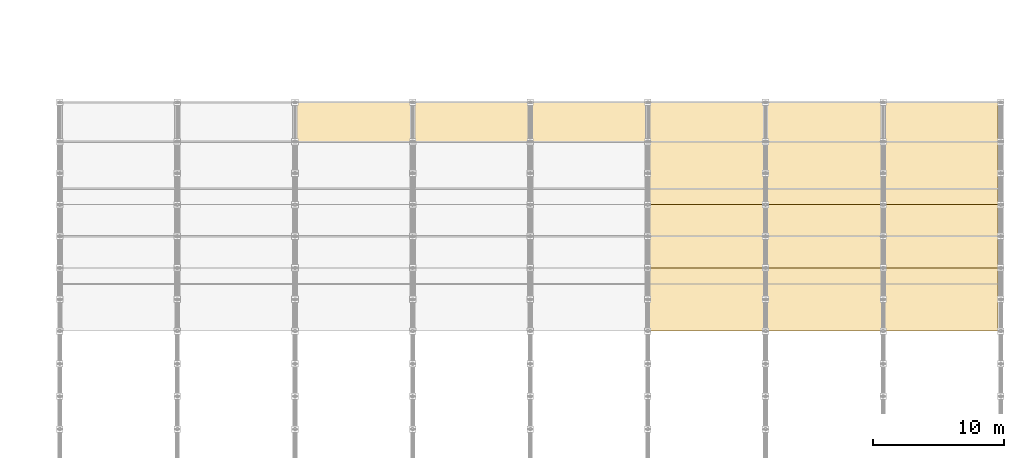
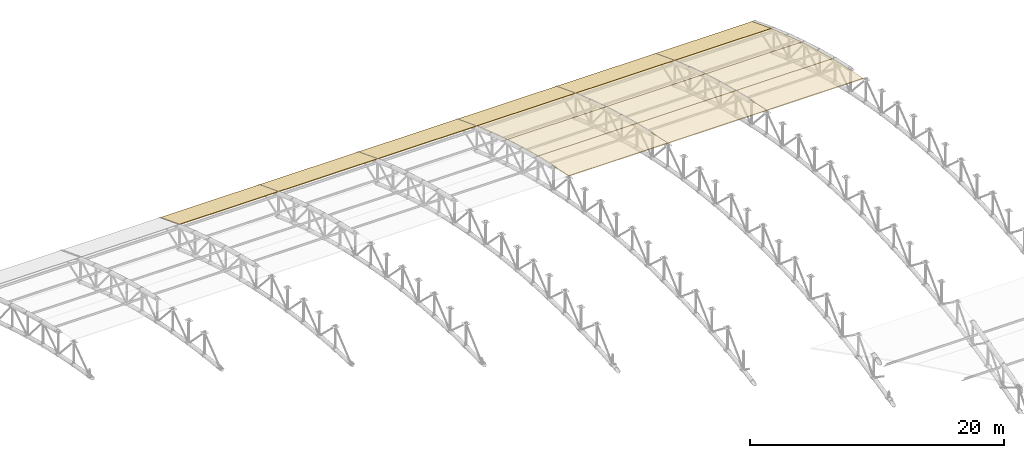
# One storey, part 194 of 195: 15 coverings.
"""IFC4 building model written with IfcOpenShell, lengths in metres."""

from ifc_helpers import new_model, si_unit, direction, frame, origin, place, context, subcontext, project, spatial, polyline, outline, extrude, material, layer, layer_set, type_object, element, save


model = new_model("IFC4")

# Units and contexts
model_context = context("Model", 3, precision=1e-05, world=origin(), true_north=direction((0.0, 1.0)))
body_context = subcontext(model_context, "Body", "Model", "MODEL_VIEW")
ifc_project = project(units=[si_unit("LENGTHUNIT", "METRE"), si_unit("AREAUNIT", "SQUARE_METRE"), si_unit("VOLUMEUNIT", "CUBIC_METRE"), si_unit("PLANEANGLEUNIT", "RADIAN"), si_unit("MASSUNIT", "GRAM", prefix="KILO")], contexts=[model_context])

# Site, building, storey
site_placement = place(None, origin())
site = spatial("IfcSite", under=ifc_project, at=site_placement, CompositionType="ELEMENT")
building_placement = place(site_placement, origin())
building = spatial("IfcBuilding", under=site, at=building_placement, Name="Marlcrest Central Station", CompositionType="ELEMENT")
storey_placement = place(building_placement, frame((0.0, 0.0, 9.800048828125)))
storey = spatial("IfcBuildingStorey", under=building, at=storey_placement, Name="L02", CompositionType="ELEMENT", Elevation=9.800048828125)

# Coverings
ifc_material = material(Name="Standing-seam marine-coated aluminium roofing", Category="aluminium")
ifc_layer = layer(ifc_material, 0.06494140625, Name="CV-RF2")
ifc_layer_set = layer_set([ifc_layer], Name="Standing-seam marine-coated aluminium roofing")
covering_type = type_object("IfcCoveringType", Name="CV-RF2", PredefinedType="ROOFING", material=ifc_layer_set)
for number, where, z_axis, x_axis, name in (
    (1, (162.0, 95.5, 1.800048828125), (0.0, 0.359101225901, 0.933298617569), (1.0, 0.0, 0.0), "cov-shed-0158"),
    (2, (171.0, 95.5, 1.800048828125), (0.0, 0.359101225901, 0.933298617569), (1.0, 0.0, 0.0), "cov-shed-0172"),
    (3, (180.0, 95.5, 1.800048828125), (0.0, 0.359101225901, 0.933298617569), (1.0, 0.0, 0.0), "cov-shed-0186"),
):
    element("IfcCovering", number, at=place(storey_placement, frame(where, z_axis=z_axis, x_axis=x_axis)), inside=storey, type_object=covering_type, Name=name, PredefinedType="ROOFING", context=body_context, shape_type="SweptSolid", body=[
        extrude(outline(polyline([(0.0, 0.0), (9.0, 0.0), (9.0, 3.2144052755735024), (0.0, 3.2144052755735024), (0.0, 0.0)])), origin(), (0.0, 0.0, -1.0), 0.06494140625),
    ])
covering_1_placement = place(storey_placement, frame((189.0, 81.0, 5.8037109375), z_axis=(0.0, 0.211209052667, 0.977440911806), x_axis=(1.0, 0.0, 0.0)))
element("IfcCovering", 4, at=covering_1_placement, inside=storey, type_object=covering_type, Name="cov-shed-0197", PredefinedType="ROOFING", context=body_context, shape_type="SweptSolid", body=[
    extrude(outline(polyline([(0.0, 0.0), (9.0, 0.0), (9.0, 4.941555102371799), (0.0, 4.941555102371799), (0.0, 0.0)])), origin(), (0.0, 0.0, -1.0), 0.06494140625),
])
covering_2_placement = place(storey_placement, frame((189.0, 85.830078125, 4.760009765625), z_axis=(0.0, 0.266214119485, 0.96391391866), x_axis=(1.0, 0.0, 0.0)))
element("IfcCovering", 5, at=covering_2_placement, inside=storey, type_object=covering_type, Name="cov-shed-0198", PredefinedType="ROOFING", context=body_context, shape_type="SweptSolid", body=[
    extrude(outline(polyline([(0.0, 0.0), (9.0, 0.0), (9.0, 5.021033161059522), (0.0, 5.021033161059522), (0.0, 0.0)])), origin(), (0.0, 0.0, -1.0), 0.06494140625),
])
covering_3_placement = place(storey_placement, frame((189.0, 90.669921875, 3.42333984375), z_axis=(0.0, 0.318569719273, 0.94789943241), x_axis=(1.0, 0.0, 0.0)))
element("IfcCovering", 6, at=covering_3_placement, inside=storey, type_object=covering_type, Name="cov-shed-0199", PredefinedType="ROOFING", context=body_context, shape_type="SweptSolid", body=[
    extrude(outline(polyline([(0.0, 0.0), (9.0, 0.0), (9.0, 5.095559676327259), (0.0, 5.095559676327259), (0.0, 0.0)])), origin(), (0.0, 0.0, -1.0), 0.06494140625),
])
covering_4_placement = place(storey_placement, frame((189.0, 95.5, 1.800048828125), z_axis=(0.0, 0.359101225901, 0.933298617569), x_axis=(1.0, 0.0, 0.0)))
element("IfcCovering", 7, at=covering_4_placement, inside=storey, type_object=covering_type, Name="cov-shed-0200", PredefinedType="ROOFING", context=body_context, shape_type="SweptSolid", body=[
    extrude(outline(polyline([(0.0, 0.0), (9.0, 0.0), (9.0, 3.2144052755735024), (0.0, 3.2144052755735024), (0.0, 0.0)])), origin(), (0.0, 0.0, -1.0), 0.06494140625),
])
covering_5_placement = place(storey_placement, frame((198.0, 81.0, 5.8037109375), z_axis=(0.0, 0.211209052667, 0.977440911806), x_axis=(1.0, 0.0, 0.0)))
element("IfcCovering", 8, at=covering_5_placement, inside=storey, type_object=covering_type, Name="cov-shed-0211", PredefinedType="ROOFING", context=body_context, shape_type="SweptSolid", body=[
    extrude(outline(polyline([(0.0, 0.0), (9.0, 0.0), (9.0, 4.941555102371799), (0.0, 4.941555102371799), (0.0, 0.0)])), origin(), (0.0, 0.0, -1.0), 0.06494140625),
])
covering_6_placement = place(storey_placement, frame((198.0, 85.830078125, 4.760009765625), z_axis=(0.0, 0.266214119485, 0.96391391866), x_axis=(1.0, 0.0, 0.0)))
element("IfcCovering", 9, at=covering_6_placement, inside=storey, type_object=covering_type, Name="cov-shed-0212", PredefinedType="ROOFING", context=body_context, shape_type="SweptSolid", body=[
    extrude(outline(polyline([(0.0, 0.0), (9.0, 0.0), (9.0, 5.021033161059522), (0.0, 5.021033161059522), (0.0, 0.0)])), origin(), (0.0, 0.0, -1.0), 0.06494140625),
])
covering_7_placement = place(storey_placement, frame((198.0, 90.669921875, 3.42333984375), z_axis=(0.0, 0.318569719273, 0.94789943241), x_axis=(1.0, 0.0, 0.0)))
element("IfcCovering", 10, at=covering_7_placement, inside=storey, type_object=covering_type, Name="cov-shed-0213", PredefinedType="ROOFING", context=body_context, shape_type="SweptSolid", body=[
    extrude(outline(polyline([(0.0, 0.0), (9.0, 0.0), (9.0, 5.095559676327259), (0.0, 5.095559676327259), (0.0, 0.0)])), origin(), (0.0, 0.0, -1.0), 0.06494140625),
])
covering_8_placement = place(storey_placement, frame((198.0, 95.5, 1.800048828125), z_axis=(0.0, 0.359101225901, 0.933298617569), x_axis=(1.0, 0.0, 0.0)))
element("IfcCovering", 11, at=covering_8_placement, inside=storey, type_object=covering_type, Name="cov-shed-0214", PredefinedType="ROOFING", context=body_context, shape_type="SweptSolid", body=[
    extrude(outline(polyline([(0.0, 0.0), (9.0, 0.0), (9.0, 3.2144052755735024), (0.0, 3.2144052755735024), (0.0, 0.0)])), origin(), (0.0, 0.0, -1.0), 0.06494140625),
])
covering_9_placement = place(storey_placement, frame((207.0, 81.0, 5.8037109375), z_axis=(0.0, 0.211209052667, 0.977440911806), x_axis=(1.0, 0.0, 0.0)))
element("IfcCovering", 12, at=covering_9_placement, inside=storey, type_object=covering_type, Name="cov-shed-0225", PredefinedType="ROOFING", context=body_context, shape_type="SweptSolid", body=[
    extrude(outline(polyline([(0.0, 0.0), (8.780029296875, 0.0), (8.780029296875, 4.941555102371799), (0.0, 4.941555102371799), (0.0, 0.0)])), origin(), (0.0, 0.0, -1.0), 0.06494140625),
])
covering_10_placement = place(storey_placement, frame((207.0, 85.830078125, 4.760009765625), z_axis=(0.0, 0.266214119485, 0.96391391866), x_axis=(1.0, 0.0, 0.0)))
element("IfcCovering", 13, at=covering_10_placement, inside=storey, type_object=covering_type, Name="cov-shed-0226", PredefinedType="ROOFING", context=body_context, shape_type="SweptSolid", body=[
    extrude(outline(polyline([(0.0, 0.0), (8.780029296875, 0.0), (8.780029296875, 5.021033161059523), (0.0, 5.021033161059523), (0.0, 0.0)])), origin(), (0.0, 0.0, -1.0), 0.06494140625),
])
covering_11_placement = place(storey_placement, frame((207.0, 90.669921875, 3.42333984375), z_axis=(0.0, 0.318569719273, 0.94789943241), x_axis=(1.0, 0.0, 0.0)))
element("IfcCovering", 14, at=covering_11_placement, inside=storey, type_object=covering_type, Name="cov-shed-0227", PredefinedType="ROOFING", context=body_context, shape_type="SweptSolid", body=[
    extrude(outline(polyline([(0.0, 0.0), (8.780029296875, 0.0), (8.780029296875, 5.095559676327259), (0.0, 5.095559676327259), (0.0, 0.0)])), origin(), (0.0, 0.0, -1.0), 0.06494140625),
])
covering_12_placement = place(storey_placement, frame((207.0, 95.5, 1.800048828125), z_axis=(0.0, 0.359101225901, 0.933298617569), x_axis=(1.0, 0.0, 0.0)))
element("IfcCovering", 15, at=covering_12_placement, inside=storey, type_object=covering_type, Name="cov-shed-0228", PredefinedType="ROOFING", context=body_context, shape_type="SweptSolid", body=[
    extrude(outline(polyline([(0.0, 0.0), (8.780029296875, 0.0), (8.780029296875, 3.2144052755735024), (0.0, 3.2144052755735024), (0.0, 0.0)])), origin(), (0.0, 0.0, -1.0), 0.06494140625),
])

save(model, "model.ifc")
